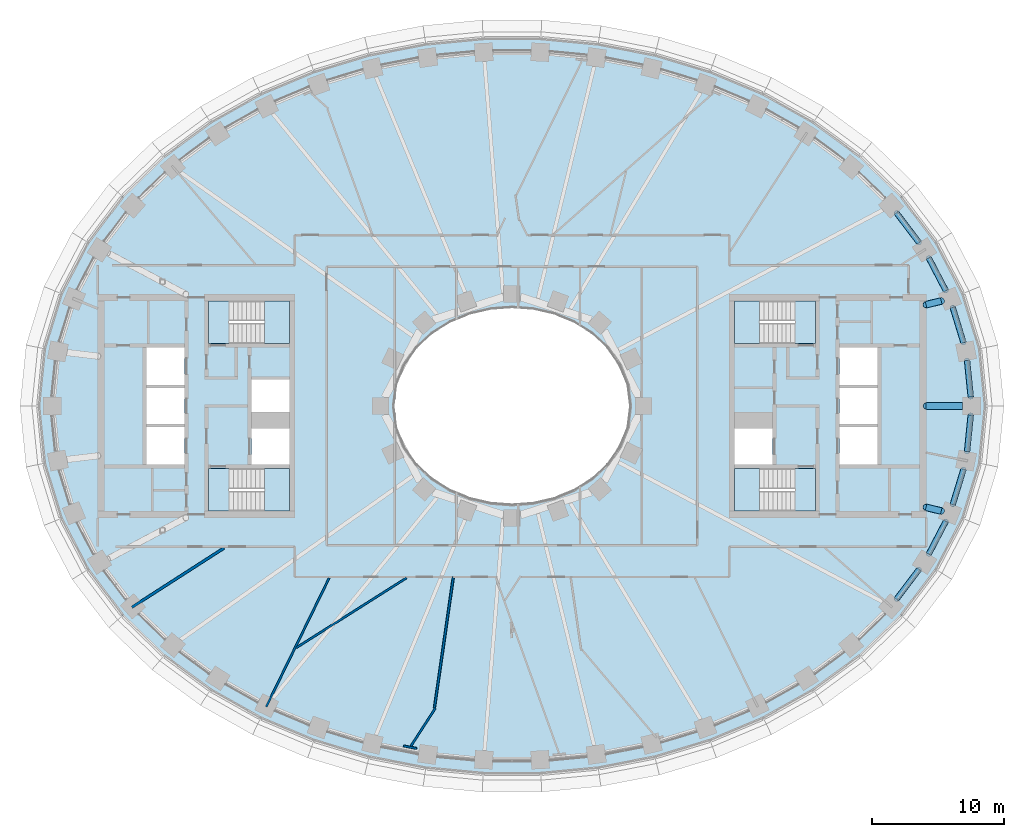
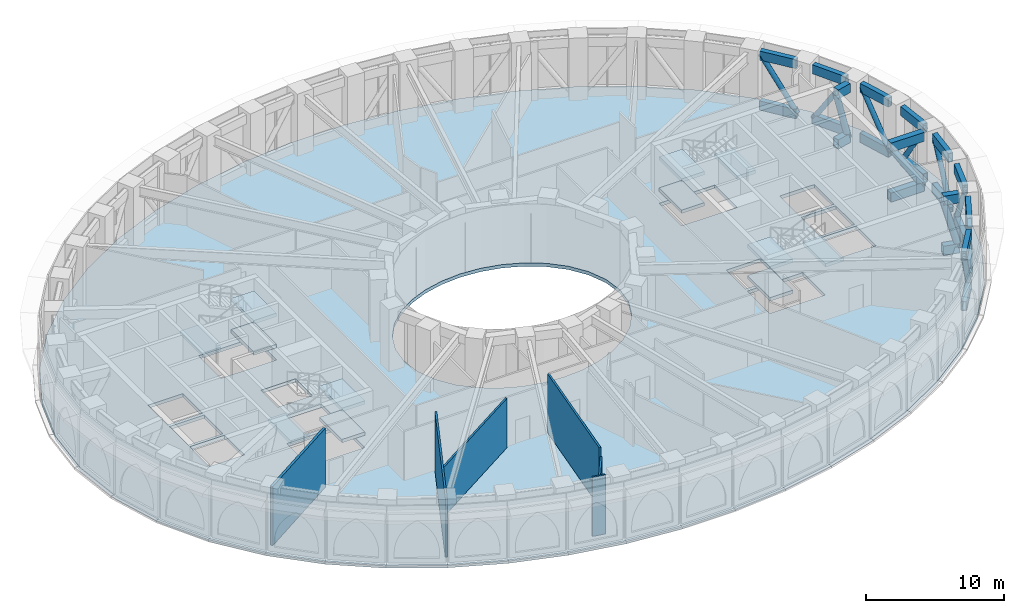
# One storey, part 5 of 25: 22 beams, 13 slabs, 11 members, 6 walls, 4 elements without a shape of their own.
"""IFC4 building model written with IfcOpenShell, lengths in metres."""

from ifc_helpers import new_model, si_unit, direction, frame, frame_2d, origin, origin_2d, place, context, subcontext, project, spatial, polyline, rectangle, hollow_rectangle, hollow_circle, outline, extrude, material, layer, layer_set, material_profile, profile_set, type_object, element, aggregate, save


model = new_model("IFC4")

# Units and contexts
model_context = context("Model", 3, precision=1e-05, world=origin(), true_north=direction((0.0, 1.0)))
body_context = subcontext(model_context, "Body", "Model", "MODEL_VIEW")
ifc_project = project(units=[si_unit("LENGTHUNIT", "METRE"), si_unit("AREAUNIT", "SQUARE_METRE"), si_unit("VOLUMEUNIT", "CUBIC_METRE"), si_unit("PLANEANGLEUNIT", "RADIAN"), si_unit("MASSUNIT", "GRAM", prefix="KILO")], contexts=[model_context])

# Site, building, storey
site_placement = place(None, origin())
site = spatial("IfcSite", under=ifc_project, at=site_placement, CompositionType="ELEMENT")
building_placement = place(site_placement, origin())
building = spatial("IfcBuilding", under=site, at=building_placement, Name="Noorbagh Ring Tower", CompositionType="ELEMENT")
storey_placement = place(building_placement, frame((0.0, 0.0, 82.5)))
storey = spatial("IfcBuildingStorey", under=building, at=storey_placement, Name="L18", CompositionType="ELEMENT", Elevation=82.5)

# Beams
ifc_material_1 = material(Name="Steel S460", Category="steel")
ifc_material_profile_1 = material_profile(ifc_material_1, hollow_rectangle(XDim=0.39990234375, YDim=0.800048828125, WallThickness=0.031982421875, at=origin_2d()), Name="BOX800x400x32")
ifc_profile_set_1 = profile_set([ifc_material_profile_1], Name="Steel S460")
beam_type_1 = type_object("IfcBeamType", Name="STR-BELT-TRUSS-CHORD-BOX800x400x32-S460", PredefinedType="BEAM", material=ifc_profile_set_1)
for number, where, z_axis, x_axis, name in (
    (1, (34.876220703125, 0.68017578125, 0.39990234375), (-0.100193190729, 0.994968001763, 0.0), (-0.994968001763, -0.100193190729, 0.0), "Belt truss chord"),
    (2, (34.876220703125, 0.68017578125, 4.800048828125), (-0.100193190729, 0.994968001763, 0.0), (-0.994968001763, -0.100193190729, 0.0), "Belt truss chord"),
):
    element("IfcBeam", number, at=place(storey_placement, frame(where, z_axis=z_axis, x_axis=x_axis)), inside=storey, type_object=beam_type_1, Name=name, PredefinedType="BEAM", context=body_context, shape_type="SweptSolid", body=[
        extrude(hollow_rectangle(XDim=0.39990234375, YDim=0.800048828125, WallThickness=0.031982421875, at=origin_2d()), origin(), (0.0, 0.0, 1.0), 2.8046875),
    ])
for number, where, z_axis, x_axis, name in (
    (3, (34.3271484375, 4.80419921875, 0.39990234375), (-0.292214128395, 0.956352917686, 0.0), (-0.956352917686, -0.292214128395, 0.0), "Belt truss chord"),
    (4, (34.3271484375, 4.80419921875, 4.800048828125), (-0.292214128395, 0.956352917686, 0.0), (-0.956352917686, -0.292214128395, 0.0), "Belt truss chord"),
):
    element("IfcBeam", number, at=place(storey_placement, frame(where, z_axis=z_axis, x_axis=x_axis)), inside=storey, type_object=beam_type_1, Name=name, PredefinedType="BEAM", context=body_context, shape_type="SweptSolid", body=[
        extrude(hollow_rectangle(XDim=0.39990234375, YDim=0.800048828125, WallThickness=0.031982421875, at=origin_2d()), origin(), (0.0, 0.0, 1.0), 2.814697265625),
    ])
for number, where, z_axis, x_axis, name in (
    (5, (32.989501953125, 8.7548828125, 0.39990234375), (-0.462289017529, 0.886729307214, 0.0), (-0.886729307214, -0.462289017529, 0.0), "Belt truss chord"),
    (6, (32.989501953125, 8.7548828125, 4.800048828125), (-0.462289017529, 0.886729307214, 0.0), (-0.886729307214, -0.462289017529, 0.0), "Belt truss chord"),
):
    element("IfcBeam", number, at=place(storey_placement, frame(where, z_axis=z_axis, x_axis=x_axis)), inside=storey, type_object=beam_type_1, Name=name, PredefinedType="BEAM", context=body_context, shape_type="SweptSolid", body=[
        extrude(hollow_rectangle(XDim=0.39990234375, YDim=0.800048828125, WallThickness=0.031982421875, at=origin_2d()), origin(), (0.0, 0.0, 1.0), 2.831787109375),
    ])
for number, where, z_axis, x_axis, name in (
    (7, (30.952880859375, 12.414794921875, 0.39990234375), (-0.604034079018, 0.796958487868, 0.0), (-0.796958487868, -0.604034079018, 0.0), "Belt truss chord"),
    (8, (30.952880859375, 12.414794921875, 4.800048828125), (-0.604034079018, 0.796958487868, 0.0), (-0.796958487868, -0.604034079018, 0.0), "Belt truss chord"),
    (9, (29.230712890625, -14.68701171875, 0.39990234375), (0.604034079018, 0.796958487868, 0.0), (-0.796958487868, 0.604034079018, 0.0), "Belt truss chord"),
    (10, (29.230712890625, -14.68701171875, 4.800048828125), (0.604034079018, 0.796958487868, 0.0), (-0.796958487868, 0.604034079018, 0.0), "Belt truss chord"),
):
    element("IfcBeam", number, at=place(storey_placement, frame(where, z_axis=z_axis, x_axis=x_axis)), inside=storey, type_object=beam_type_1, Name=name, PredefinedType="BEAM", context=body_context, shape_type="SweptSolid", body=[
        extrude(hollow_rectangle(XDim=0.39990234375, YDim=0.800048828125, WallThickness=0.031982421875, at=origin_2d()), origin(), (0.0, 0.0, 1.0), 2.85107421875),
    ])
for number, where, z_axis, x_axis, name in (
    (11, (31.680419921875, -11.265869140625, 0.39990234375), (0.462289017529, 0.886729307214, 0.0), (-0.886729307214, 0.462289017529, 0.0), "Belt truss chord"),
    (12, (31.680419921875, -11.265869140625, 4.800048828125), (0.462289017529, 0.886729307214, 0.0), (-0.886729307214, 0.462289017529, 0.0), "Belt truss chord"),
):
    element("IfcBeam", number, at=place(storey_placement, frame(where, z_axis=z_axis, x_axis=x_axis)), inside=storey, type_object=beam_type_1, Name=name, PredefinedType="BEAM", context=body_context, shape_type="SweptSolid", body=[
        extrude(hollow_rectangle(XDim=0.39990234375, YDim=0.800048828125, WallThickness=0.031982421875, at=origin_2d()), origin(), (0.0, 0.0, 1.0), 2.831787109375),
    ])
for number, where, z_axis, x_axis, name in (
    (13, (33.504638671875, -7.49609375, 0.39990234375), (0.292214128395, 0.956352917686, 0.0), (-0.956352917686, 0.292214128395, 0.0), "Belt truss chord"),
    (14, (33.504638671875, -7.49609375, 4.800048828125), (0.292214128395, 0.956352917686, 0.0), (-0.956352917686, 0.292214128395, 0.0), "Belt truss chord"),
):
    element("IfcBeam", number, at=place(storey_placement, frame(where, z_axis=z_axis, x_axis=x_axis)), inside=storey, type_object=beam_type_1, Name=name, PredefinedType="BEAM", context=body_context, shape_type="SweptSolid", body=[
        extrude(hollow_rectangle(XDim=0.39990234375, YDim=0.800048828125, WallThickness=0.031982421875, at=origin_2d()), origin(), (0.0, 0.0, 1.0), 2.814697265625),
    ])
for number, where, z_axis, x_axis, name in (
    (15, (34.59521484375, -3.470703125, 0.39990234375), (0.100193190729, 0.994968001763, 0.0), (-0.994968001763, 0.100193190729, 0.0), "Belt truss chord"),
    (16, (34.59521484375, -3.470703125, 4.800048828125), (0.100193190729, 0.994968001763, 0.0), (-0.994968001763, 0.100193190729, 0.0), "Belt truss chord"),
):
    element("IfcBeam", number, at=place(storey_placement, frame(where, z_axis=z_axis, x_axis=x_axis)), inside=storey, type_object=beam_type_1, Name=name, PredefinedType="BEAM", context=body_context, shape_type="SweptSolid", body=[
        extrude(hollow_rectangle(XDim=0.39990234375, YDim=0.800048828125, WallThickness=0.031982421875, at=origin_2d()), origin(), (0.0, 0.0, 1.0), 2.8046875),
    ])

# Members
ifc_material_2 = material(Name="Steel S355", Category="steel")
ifc_material_profile_2 = material_profile(ifc_material_2, hollow_circle(Radius=0.203125, WallThickness=0.01611328125, at=origin_2d()), Name="CHS406.4x16")
ifc_profile_set_2 = profile_set([ifc_material_profile_2], Name="Steel S355")
member_type_1 = type_object("IfcMemberType", Name="STR-BELT-TRUSS-DIAGONAL-CHS406.4x16", PredefinedType="BRACE", material=ifc_profile_set_2)
member_1_placement = place(storey_placement, frame((34.59521484375, 3.470703125, 0.39990234375), z_axis=(0.053853398761, -0.534790919058, 0.843266555921), x_axis=(0.994968001763, 0.100193190729, 0.0)))
element("IfcMember", 17, at=member_1_placement, inside=storey, type_object=member_type_1, Name="Belt truss diagonal", PredefinedType="BRACE", context=body_context, shape_type="SweptSolid", body=[
    extrude(hollow_circle(Radius=0.203125, WallThickness=0.01611328125, at=origin_2d()), origin(), (0.0, 0.0, 1.0), 5.218017578125),
])
member_2_placement = place(storey_placement, frame((34.3271484375, 4.80419921875, 0.39990234375), z_axis=(-0.157465779171, 0.515351048126, 0.842388168), x_axis=(-0.956352917686, -0.292214128395, 0.0)))
element("IfcMember", 18, at=member_2_placement, inside=storey, type_object=member_type_1, Name="Belt truss diagonal", PredefinedType="BRACE", context=body_context, shape_type="SweptSolid", body=[
    extrude(hollow_circle(Radius=0.203125, WallThickness=0.01611328125, at=origin_2d()), origin(), (0.0, 0.0, 1.0), 5.223388671875),
])
member_3_placement = place(storey_placement, frame((31.680419921875, 11.265869140625, 0.39990234375), z_axis=(0.250178419674, -0.47987412278, 0.840911163332), x_axis=(0.886729307214, 0.462289017529, 0.0)))
element("IfcMember", 19, at=member_3_placement, inside=storey, type_object=member_type_1, Name="Belt truss diagonal", PredefinedType="BRACE", context=body_context, shape_type="SweptSolid", body=[
    extrude(hollow_circle(Radius=0.203125, WallThickness=0.01611328125, at=origin_2d()), origin(), (0.0, 0.0, 1.0), 5.232666015625),
])
for number, where, z_axis, x_axis, name in (
    (20, (30.952880859375, 12.414794921875, 0.39990234375), (-0.328463550828, 0.433372592508, 0.83922576929), (-0.796958487868, -0.604034079018, 0.0), "Belt truss diagonal"),
    (21, (30.952880859375, -12.414794921875, 0.39990234375), (-0.328463550828, -0.433372592508, 0.83922576929), (0.796958487868, -0.604034079018, 0.0), "Belt truss diagonal"),
):
    element("IfcMember", number, at=place(storey_placement, frame(where, z_axis=z_axis, x_axis=x_axis)), inside=storey, type_object=member_type_1, Name=name, PredefinedType="BRACE", context=body_context, shape_type="SweptSolid", body=[
        extrude(hollow_circle(Radius=0.203125, WallThickness=0.01611328125, at=origin_2d()), origin(), (0.0, 0.0, 1.0), 5.2431640625),
    ])
member_4_placement = place(storey_placement, frame((31.680419921875, -11.265869140625, 0.39990234375), z_axis=(0.250178419674, 0.47987412278, 0.840911163332), x_axis=(-0.886729307214, 0.462289017529, 0.0)))
element("IfcMember", 22, at=member_4_placement, inside=storey, type_object=member_type_1, Name="Belt truss diagonal", PredefinedType="BRACE", context=body_context, shape_type="SweptSolid", body=[
    extrude(hollow_circle(Radius=0.203125, WallThickness=0.01611328125, at=origin_2d()), origin(), (0.0, 0.0, 1.0), 5.232666015625),
])
member_5_placement = place(storey_placement, frame((34.3271484375, -4.80419921875, 0.39990234375), z_axis=(-0.157465779171, -0.515351048126, 0.842388168), x_axis=(0.956352917686, -0.292214128395, 0.0)))
element("IfcMember", 23, at=member_5_placement, inside=storey, type_object=member_type_1, Name="Belt truss diagonal", PredefinedType="BRACE", context=body_context, shape_type="SweptSolid", body=[
    extrude(hollow_circle(Radius=0.203125, WallThickness=0.01611328125, at=origin_2d()), origin(), (0.0, 0.0, 1.0), 5.223388671875),
])
member_6_placement = place(storey_placement, frame((34.59521484375, -3.470703125, 0.39990234375), z_axis=(0.053853398761, 0.534790919058, 0.843266555921), x_axis=(-0.994968001763, 0.100193190729, 0.0)))
element("IfcMember", 24, at=member_6_placement, inside=storey, type_object=member_type_1, Name="Belt truss diagonal", PredefinedType="BRACE", context=body_context, shape_type="SweptSolid", body=[
    extrude(hollow_circle(Radius=0.203125, WallThickness=0.01611328125, at=origin_2d()), origin(), (0.0, 0.0, 1.0), 5.218017578125),
])

# Beams
ifc_material_3 = material(Name="Steel S460", Category="steel")
ifc_material_profile_3 = material_profile(ifc_material_3, hollow_rectangle(XDim=0.5, YDim=0.800048828125, WallThickness=0.0400390625, at=origin_2d()), Name="BOX800x500x40")
ifc_profile_set_3 = profile_set([ifc_material_profile_3], Name="Steel S460")
beam_type_2 = type_object("IfcBeamType", Name="STR-OUTRIGGER-TRUSS-CHORD-BOX800x500x40-S460", PredefinedType="BEAM", material=ifc_profile_set_3)
for number, where, z_axis, x_axis, name in (
    (25, (34.2646484375, 0.0, 0.39990234375), (-1.0, 0.0, 0.0), (0.0, -1.0, 0.0), "Outrigger truss chord"),
    (26, (34.2646484375, 0.0, 4.800048828125), (-1.0, 0.0, 0.0), (0.0, -1.0, 0.0), "Outrigger truss chord"),
):
    element("IfcBeam", number, at=place(storey_placement, frame(where, z_axis=z_axis, x_axis=x_axis)), inside=storey, type_object=beam_type_2, Name=name, PredefinedType="BEAM", context=body_context, shape_type="SweptSolid", body=[
        extrude(hollow_rectangle(XDim=0.5, YDim=0.800048828125, WallThickness=0.0400390625, at=origin_2d()), origin(), (0.0, 0.0, 1.0), 2.78466796875),
    ])
for number, where, z_axis, x_axis, name in (
    (27, (32.636962890625, 7.98583984375, 0.39990234375), (-0.971348532858, -0.237659478485, 0.0), (0.237659478485, -0.971348532858, 0.0), "Outrigger truss chord"),
    (28, (32.636962890625, 7.98583984375, 4.800048828125), (-0.971348532858, -0.237659478485, 0.0), (0.237659478485, -0.971348532858, 0.0), "Outrigger truss chord"),
    (29, (32.636962890625, -7.98583984375, 0.39990234375), (-0.971348532858, 0.237659478485, 0.0), (-0.237659478485, -0.971348532858, 0.0), "Outrigger truss chord"),
    (30, (32.636962890625, -7.98583984375, 4.800048828125), (-0.971348532858, 0.237659478485, 0.0), (-0.237659478485, -0.971348532858, 0.0), "Outrigger truss chord"),
):
    element("IfcBeam", number, at=place(storey_placement, frame(where, z_axis=z_axis, x_axis=x_axis)), inside=storey, type_object=beam_type_2, Name=name, PredefinedType="BEAM", context=body_context, shape_type="SweptSolid", body=[
        extrude(hollow_rectangle(XDim=0.5, YDim=0.800048828125, WallThickness=0.0400390625, at=origin_2d()), origin(), (0.0, 0.0, 1.0), 1.190673828125),
    ])

# Members
ifc_material_4 = material(Name="Steel S355", Category="steel")
ifc_material_profile_4 = material_profile(ifc_material_4, hollow_circle(Radius=0.25390625, WallThickness=0.02490234375, at=origin_2d()), Name="CHS508x25")
ifc_profile_set_4 = profile_set([ifc_material_profile_4], Name="Steel S355")
member_type_2 = type_object("IfcMemberType", Name="STR-OUTRIGGER-TRUSS-DIAGONAL-CHS508x25", PredefinedType="BRACE", material=ifc_profile_set_4)
member_7_placement = place(storey_placement, frame((34.2646484375, 0.0, 0.39990234375), z_axis=(-0.534765388984, 0.0, 0.845000579139), x_axis=(0.0, -1.0, 0.0)))
element("IfcMember", 31, at=member_7_placement, inside=storey, type_object=member_type_2, Name="Outrigger truss diagonal", PredefinedType="BRACE", context=body_context, shape_type="SweptSolid", body=[
    extrude(hollow_circle(Radius=0.25390625, WallThickness=0.02490234375, at=origin_2d()), origin(), (0.0, 0.0, 1.0), 5.207275390625),
])
for number, where, z_axis, x_axis, name in (
    (32, (32.636962890625, 7.98583984375, 0.39990234375), (-0.253707236325, -0.062074453642, 0.965287211374), (0.237659478485, -0.971348532858, 0.0), "Outrigger truss diagonal"),
    (33, (32.636962890625, -7.98583984375, 0.39990234375), (-0.253707236325, 0.062074453642, 0.965287211374), (-0.237659478485, -0.971348532858, 0.0), "Outrigger truss diagonal"),
):
    element("IfcMember", number, at=place(storey_placement, frame(where, z_axis=z_axis, x_axis=x_axis)), inside=storey, type_object=member_type_2, Name=name, PredefinedType="BRACE", context=body_context, shape_type="SweptSolid", body=[
        extrude(hollow_circle(Radius=0.25390625, WallThickness=0.02490234375, at=origin_2d()), origin(), (0.0, 0.0, 1.0), 4.558349609375),
    ])

# Stair, slabs
ifc_material_5 = material(Name="Concrete C40/50", Category="concrete")
stair_type = type_object("IfcStairType", Name="CORE-STAIR", PredefinedType="HALF_TURN_STAIR", material=ifc_material_5)
stair_1_placement = place(storey_placement, origin())
stair_1 = element("IfcStair", 34, at=stair_1_placement, inside=storey, type_object=stair_type, Name="L18 Exit stair ST1", PredefinedType="HALF_TURN_STAIR")
ifc_material_6 = material(Name="Concrete C40/50", Category="concrete")
ifc_layer_1 = layer(ifc_material_6, 0.300048828125)
ifc_layer_set_1 = layer_set([ifc_layer_1], Name="Concrete C40/50")
slab_type_1 = type_object("IfcSlabType", Name="CORE-STAIR-LANDING", PredefinedType="LANDING", material=ifc_layer_set_1)
slab_1_placement = place(storey_placement, frame((0.0, 0.0, 1.074951171875)))
slab_1 = element("IfcSlab", 35, at=slab_1_placement, type_object=slab_type_1, Name="ST1 landing 1", PredefinedType="LANDING", context=body_context, shape_type="SweptSolid", body=[
    extrude(outline(polyline([(-18.81005859375, 4.75), (-16.89990234375, 4.75), (-16.89990234375, 8.0), (-18.81005859375, 8.0), (-18.81005859375, 4.75)])), origin(), (0.0, 0.0, 1.0), 0.300048828125),
])
slab_2_placement = place(storey_placement, frame((0.0, 0.0, 2.449951171875)))
slab_2 = element("IfcSlab", 36, at=slab_2_placement, type_object=slab_type_1, Name="ST1 landing 2", PredefinedType="LANDING", context=body_context, shape_type="SweptSolid", body=[
    extrude(outline(polyline([(-23.080078125, 4.75), (-21.530029296875, 4.75), (-21.530029296875, 8.0), (-23.080078125, 8.0), (-23.080078125, 4.75)])), origin(), (0.0, 0.0, 1.0), 0.300048828125),
])
slab_3_placement = place(storey_placement, frame((0.0, 0.0, 3.824951171875)))
slab_3 = element("IfcSlab", 37, at=slab_3_placement, type_object=slab_type_1, Name="ST1 landing 3", PredefinedType="LANDING", context=body_context, shape_type="SweptSolid", body=[
    extrude(outline(polyline([(-18.81005859375, 4.75), (-16.89990234375, 4.75), (-16.89990234375, 8.0), (-18.81005859375, 8.0), (-18.81005859375, 4.75)])), origin(), (0.0, 0.0, 1.0), 0.300048828125),
])
aggregate(stair_1, [slab_1, slab_2, slab_3])

stair_2_placement = place(storey_placement, origin())
stair_2 = element("IfcStair", 38, at=stair_2_placement, inside=storey, type_object=stair_type, Name="L18 Exit stair ST2", PredefinedType="HALF_TURN_STAIR")
slab_4_placement = place(storey_placement, frame((0.0, 0.0, 1.074951171875)))
slab_4 = element("IfcSlab", 39, at=slab_4_placement, type_object=slab_type_1, Name="ST2 landing 1", PredefinedType="LANDING", context=body_context, shape_type="SweptSolid", body=[
    extrude(outline(polyline([(-18.81005859375, -8.0), (-16.89990234375, -8.0), (-16.89990234375, -4.75), (-18.81005859375, -4.75), (-18.81005859375, -8.0)])), origin(), (0.0, 0.0, 1.0), 0.300048828125),
])
slab_5_placement = place(storey_placement, frame((0.0, 0.0, 2.449951171875)))
slab_5 = element("IfcSlab", 40, at=slab_5_placement, type_object=slab_type_1, Name="ST2 landing 2", PredefinedType="LANDING", context=body_context, shape_type="SweptSolid", body=[
    extrude(outline(polyline([(-23.080078125, -8.0), (-21.530029296875, -8.0), (-21.530029296875, -4.75), (-23.080078125, -4.75), (-23.080078125, -8.0)])), origin(), (0.0, 0.0, 1.0), 0.300048828125),
])
slab_6_placement = place(storey_placement, frame((0.0, 0.0, 3.824951171875)))
slab_6 = element("IfcSlab", 41, at=slab_6_placement, type_object=slab_type_1, Name="ST2 landing 3", PredefinedType="LANDING", context=body_context, shape_type="SweptSolid", body=[
    extrude(outline(polyline([(-18.81005859375, -8.0), (-16.89990234375, -8.0), (-16.89990234375, -4.75), (-18.81005859375, -4.75), (-18.81005859375, -8.0)])), origin(), (0.0, 0.0, 1.0), 0.300048828125),
])
aggregate(stair_2, [slab_4, slab_5, slab_6])

stair_3_placement = place(storey_placement, origin())
stair_3 = element("IfcStair", 42, at=stair_3_placement, inside=storey, type_object=stair_type, Name="L18 Exit stair ST3", PredefinedType="HALF_TURN_STAIR")
slab_7_placement = place(storey_placement, frame((0.0, 0.0, 1.074951171875)))
slab_7 = element("IfcSlab", 43, at=slab_7_placement, type_object=slab_type_1, Name="ST3 landing 1", PredefinedType="LANDING", context=body_context, shape_type="SweptSolid", body=[
    extrude(outline(polyline([(18.81005859375, 8.0), (16.89990234375, 8.0), (16.89990234375, 4.75), (18.81005859375, 4.75), (18.81005859375, 8.0)])), origin(), (0.0, 0.0, 1.0), 0.300048828125),
])
slab_8_placement = place(storey_placement, frame((0.0, 0.0, 2.449951171875)))
slab_8 = element("IfcSlab", 44, at=slab_8_placement, type_object=slab_type_1, Name="ST3 landing 2", PredefinedType="LANDING", context=body_context, shape_type="SweptSolid", body=[
    extrude(outline(polyline([(23.080078125, 8.0), (21.530029296875, 8.0), (21.530029296875, 4.75), (23.080078125, 4.75), (23.080078125, 8.0)])), origin(), (0.0, 0.0, 1.0), 0.300048828125),
])
slab_9_placement = place(storey_placement, frame((0.0, 0.0, 3.824951171875)))
slab_9 = element("IfcSlab", 45, at=slab_9_placement, type_object=slab_type_1, Name="ST3 landing 3", PredefinedType="LANDING", context=body_context, shape_type="SweptSolid", body=[
    extrude(outline(polyline([(18.81005859375, 8.0), (16.89990234375, 8.0), (16.89990234375, 4.75), (18.81005859375, 4.75), (18.81005859375, 8.0)])), origin(), (0.0, 0.0, 1.0), 0.300048828125),
])
aggregate(stair_3, [slab_7, slab_8, slab_9])

stair_4_placement = place(storey_placement, origin())
stair_4 = element("IfcStair", 46, at=stair_4_placement, inside=storey, type_object=stair_type, Name="L18 Exit stair ST4", PredefinedType="HALF_TURN_STAIR")
slab_10_placement = place(storey_placement, frame((0.0, 0.0, 1.074951171875)))
slab_10 = element("IfcSlab", 47, at=slab_10_placement, type_object=slab_type_1, Name="ST4 landing 1", PredefinedType="LANDING", context=body_context, shape_type="SweptSolid", body=[
    extrude(outline(polyline([(18.81005859375, -4.75), (16.89990234375, -4.75), (16.89990234375, -8.0), (18.81005859375, -8.0), (18.81005859375, -4.75)])), origin(), (0.0, 0.0, 1.0), 0.300048828125),
])
slab_11_placement = place(storey_placement, frame((0.0, 0.0, 2.449951171875)))
slab_11 = element("IfcSlab", 48, at=slab_11_placement, type_object=slab_type_1, Name="ST4 landing 2", PredefinedType="LANDING", context=body_context, shape_type="SweptSolid", body=[
    extrude(outline(polyline([(23.080078125, -4.75), (21.530029296875, -4.75), (21.530029296875, -8.0), (23.080078125, -8.0), (23.080078125, -4.75)])), origin(), (0.0, 0.0, 1.0), 0.300048828125),
])
slab_12_placement = place(storey_placement, frame((0.0, 0.0, 3.824951171875)))
slab_12 = element("IfcSlab", 49, at=slab_12_placement, type_object=slab_type_1, Name="ST4 landing 3", PredefinedType="LANDING", context=body_context, shape_type="SweptSolid", body=[
    extrude(outline(polyline([(18.81005859375, -4.75), (16.89990234375, -4.75), (16.89990234375, -8.0), (18.81005859375, -8.0), (18.81005859375, -4.75)])), origin(), (0.0, 0.0, 1.0), 0.300048828125),
])
aggregate(stair_4, [slab_10, slab_11, slab_12])

# Slab
ifc_material_7 = material(Name="Concrete C40/50", Category="concrete")
ifc_layer_2 = layer(ifc_material_7, 0.300048828125)
ifc_layer_set_2 = layer_set([ifc_layer_2], Name="Concrete C40/50")
slab_type_2 = type_object("IfcSlabType", Name="STR-FLOOR-DECK-300", PredefinedType="FLOOR", material=ifc_layer_set_2)
slab_13_placement = place(storey_placement, frame((0.0, 0.0, -0.300048828125)))
element("IfcSlab", 50, at=slab_13_placement, inside=storey, type_object=slab_type_2, Name="L18/slab/1", PredefinedType="FLOOR", context=body_context, shape_type="SweptSolid", body=[
    extrude(outline(polyline([(36.0, 0.0), (35.56103515625, 4.358642578125), (34.281005859375, 8.548828125), (32.255126953125, 12.434814453125), (29.607666015625, 15.92822265625), (26.463134765625, 18.983154296875), (22.9326171875, 21.583740234375), (19.108154296875, 23.730224609375), (15.0654296875, 25.430419921875), (10.865234375, 26.6943359375), (6.5595703125, 27.53125), (2.193115234375, 27.947998046875), (-2.193115234375, 27.947998046875), (-6.5595703125, 27.53125), (-10.865234375, 26.6943359375), (-15.0654296875, 25.430419921875), (-19.108154296875, 23.730224609375), (-22.9326171875, 21.583740234375), (-26.463134765625, 18.983154296875), (-29.607666015625, 15.92822265625), (-32.255126953125, 12.434814453125), (-34.281005859375, 8.548828125), (-35.56103515625, 4.358642578125), (-36.0, 0.0), (-35.56103515625, -4.358642578125), (-34.281005859375, -8.548828125), (-32.255126953125, -12.434814453125), (-29.607666015625, -15.92822265625), (-26.463134765625, -18.983154296875), (-22.9326171875, -21.583740234375), (-19.108154296875, -23.730224609375), (-15.0654296875, -25.430419921875), (-10.865234375, -26.6943359375), (-6.5595703125, -27.53125), (-2.193115234375, -27.947998046875), (2.193115234375, -27.947998046875), (6.5595703125, -27.53125), (10.865234375, -26.6943359375), (15.0654296875, -25.430419921875), (19.108154296875, -23.730224609375), (22.9326171875, -21.583740234375), (26.463134765625, -18.983154296875), (29.607666015625, -15.92822265625), (32.255126953125, -12.434814453125), (34.281005859375, -8.548828125), (35.56103515625, -4.358642578125), (36.0, 0.0)]), holes=[polyline([(24.89990234375, -1.60009765625), (27.800048828125, -1.60009765625), (27.800048828125, -4.449951171875), (24.89990234375, -4.449951171875), (24.89990234375, -1.60009765625)]), polyline([(24.89990234375, 1.35009765625), (27.800048828125, 1.35009765625), (27.800048828125, -1.35009765625), (24.89990234375, -1.35009765625), (24.89990234375, 1.35009765625)]), polyline([(24.89990234375, 4.449951171875), (27.800048828125, 4.449951171875), (27.800048828125, 1.60009765625), (24.89990234375, 1.60009765625), (24.89990234375, 4.449951171875)]), polyline([(21.529541015625, -4.75), (21.529541015625, -8.0), (16.89990234375, -8.0), (16.89990234375, -4.75), (21.529541015625, -4.75)]), polyline([(21.529541015625, 4.75), (16.89990234375, 4.75), (16.89990234375, 8.0), (21.529541015625, 8.0), (21.529541015625, 4.75)]), polyline([(16.89990234375, -1.699951171875), (19.800048828125, -1.699951171875), (19.800048828125, -4.449951171875), (16.89990234375, -4.449951171875), (16.89990234375, -1.699951171875)]), polyline([(4.697509765625, -6.3974609375), (3.196533203125, -7.010986328125), (1.6171875, -7.3779296875), (0.0, -7.5), (-1.6171875, -7.3779296875), (-3.196533203125, -7.010986328125), (-4.697509765625, -6.3974609375), (-6.071044921875, -5.53662109375), (-7.2587890625, -4.43408203125), (-8.1904296875, -3.10888671875), (-8.79150390625, -1.605224609375), (-9.0, 0.0), (-8.79150390625, 1.605224609375), (-8.1904296875, 3.10888671875), (-7.2587890625, 4.43408203125), (-6.071044921875, 5.53662109375), (-4.697509765625, 6.3974609375), (-3.196533203125, 7.010986328125), (-1.6171875, 7.3779296875), (0.0, 7.5), (1.6171875, 7.3779296875), (3.196533203125, 7.010986328125), (4.697509765625, 6.3974609375), (6.071044921875, 5.53662109375), (7.2587890625, 4.43408203125), (8.1904296875, 3.10888671875), (8.79150390625, 1.605224609375), (9.0, 0.0), (8.79150390625, -1.605224609375), (8.1904296875, -3.10888671875), (7.2587890625, -4.43408203125), (6.071044921875, -5.53662109375), (4.697509765625, -6.3974609375)]), polyline([(-21.529541015625, -8.0), (-21.529541015625, -4.75), (-16.89990234375, -4.75), (-16.89990234375, -8.0), (-21.529541015625, -8.0)]), polyline([(-21.529541015625, 8.0), (-16.89990234375, 8.0), (-16.89990234375, 4.75), (-21.529541015625, 4.75), (-21.529541015625, 8.0)]), polyline([(-16.89990234375, -4.449951171875), (-19.800048828125, -4.449951171875), (-19.800048828125, -1.699951171875), (-16.89990234375, -1.699951171875), (-16.89990234375, -4.449951171875)]), polyline([(-16.89990234375, -0.449951171875), (-19.800048828125, -0.449951171875), (-19.800048828125, 2.0), (-16.89990234375, 2.0), (-16.89990234375, -0.449951171875)]), polyline([(-24.89990234375, -4.449951171875), (-27.800048828125, -4.449951171875), (-27.800048828125, -1.60009765625), (-24.89990234375, -1.60009765625), (-24.89990234375, -4.449951171875)]), polyline([(-24.89990234375, -1.35009765625), (-27.800048828125, -1.35009765625), (-27.800048828125, 1.35009765625), (-24.89990234375, 1.35009765625), (-24.89990234375, -1.35009765625)]), polyline([(-24.89990234375, 1.60009765625), (-27.800048828125, 1.60009765625), (-27.800048828125, 4.449951171875), (-24.89990234375, 4.449951171875), (-24.89990234375, 1.60009765625)])]), origin(), (0.0, 0.0, 1.0), 0.300048828125),
])

# Walls
ifc_material_8 = material(Name="Gypsum board on steel studs", Category="steel")
ifc_layer_3 = layer(ifc_material_8, 0.14990234375)
ifc_layer_set_3 = layer_set([ifc_layer_3], Name="Gypsum board on steel studs")
wall_type_1 = type_object("IfcWallType", Name="COMPARTMENT PARTITION 150 EI 60", PredefinedType="PARTITIONING", material=ifc_layer_set_3)
wall_1_placement = place(storey_placement, frame((-18.68994140625, -22.875, 0.0), z_axis=(0.0, 0.0, 1.0), x_axis=(0.439201300969, 0.898388678261, 0.0)))
element("IfcWall", 51, at=wall_1_placement, inside=storey, type_object=wall_type_1, Name="L18/wall/P09", PredefinedType="PARTITIONING", context=body_context, shape_type="SweptSolid", body=[
    extrude(rectangle(XDim=10.908447265625, YDim=0.14990234375, at=frame_2d((5.4541015625, 0.0))), origin(), (0.0, 0.0, 1.0), 5.199951171875),
])
wall_2_placement = place(storey_placement, frame((-16.412109375, -18.385986328125, 0.0), z_axis=(0.0, 0.0, 1.0), x_axis=(0.844855771647, 0.534994135588, 0.0)))
element("IfcWall", 52, at=wall_2_placement, inside=storey, type_object=wall_type_1, Name="L18/wall/P10", PredefinedType="PARTITIONING", context=body_context, shape_type="SweptSolid", body=[
    extrude(rectangle(XDim=9.923583984375, YDim=0.14990234375, at=frame_2d((4.9619140625, 0.0))), origin(), (0.0, 0.0, 1.0), 4.35009765625),
])
wall_3_placement = place(storey_placement, frame((-7.6826171875, -25.85009765625, 0.0), z_axis=(0.0, 0.0, 1.0), x_axis=(0.542618686321, 0.839979143346, 0.0)))
element("IfcWall", 53, at=wall_3_placement, inside=storey, type_object=wall_type_1, Name="L18/wall/P23", PredefinedType="PARTITIONING", context=body_context, shape_type="SweptSolid", body=[
    extrude(rectangle(XDim=3.42529296875, YDim=0.14990234375, at=frame_2d((1.712646484375, 0.0))), origin(), (0.0, 0.0, 1.0), 4.39990234375),
])
wall_4_placement = place(storey_placement, frame((-5.89599609375, -22.946044921875, 0.0), z_axis=(0.0, 0.0, 1.0), x_axis=(0.142955736686, 0.989729082804, 0.0)))
element("IfcWall", 54, at=wall_4_placement, inside=storey, type_object=wall_type_1, Name="L18/wall/P24", PredefinedType="PARTITIONING", context=body_context, shape_type="SweptSolid", body=[
    extrude(rectangle(XDim=10.04541015625, YDim=0.14990234375, at=frame_2d((5.022705078125, 0.0))), origin(), (0.0, 0.0, 1.0), 5.199951171875),
])
wall_5_placement = place(storey_placement, frame((-8.2353515625, -25.8505859375, 0.0), z_axis=(0.0, 0.0, 1.0), x_axis=(0.981609036544, -0.190902329415, 0.0)))
element("IfcWall", 55, at=wall_5_placement, inside=storey, type_object=wall_type_1, Name="L18/wall/P62", PredefinedType="PARTITIONING", context=body_context, shape_type="SweptSolid", body=[
    extrude(rectangle(XDim=1.0, YDim=0.14990234375, at=frame_2d((0.5, 0.0))), origin(), (0.0, 0.0, 1.0), 5.199951171875),
])
ifc_material_9 = material(Name="Gypsum board on steel studs", Category="steel")
ifc_layer_4 = layer(ifc_material_9, 0.199951171875)
ifc_layer_set_4 = layer_set([ifc_layer_4], Name="Gypsum board on steel studs")
wall_type_2 = type_object("IfcWallType", Name="SHAFT PARTITION 200 EI 120", PredefinedType="PARTITIONING", material=ifc_layer_set_4)
wall_6_placement = place(storey_placement, frame((-28.89306640625, -15.297119140625, 0.0), z_axis=(0.0, 0.0, 1.0), x_axis=(0.841258622477, 0.54063289773, 0.0)))
element("IfcWall", 56, at=wall_6_placement, inside=storey, type_object=wall_type_2, Name="L18/wall/P06", PredefinedType="PARTITIONING", context=body_context, shape_type="SweptSolid", body=[
    extrude(rectangle(XDim=8.312744140625, YDim=0.199951171875, at=frame_2d((4.15625, 0.0))), origin(), (0.0, 0.0, 1.0), 5.199951171875),
])

save(model, "model.ifc")
